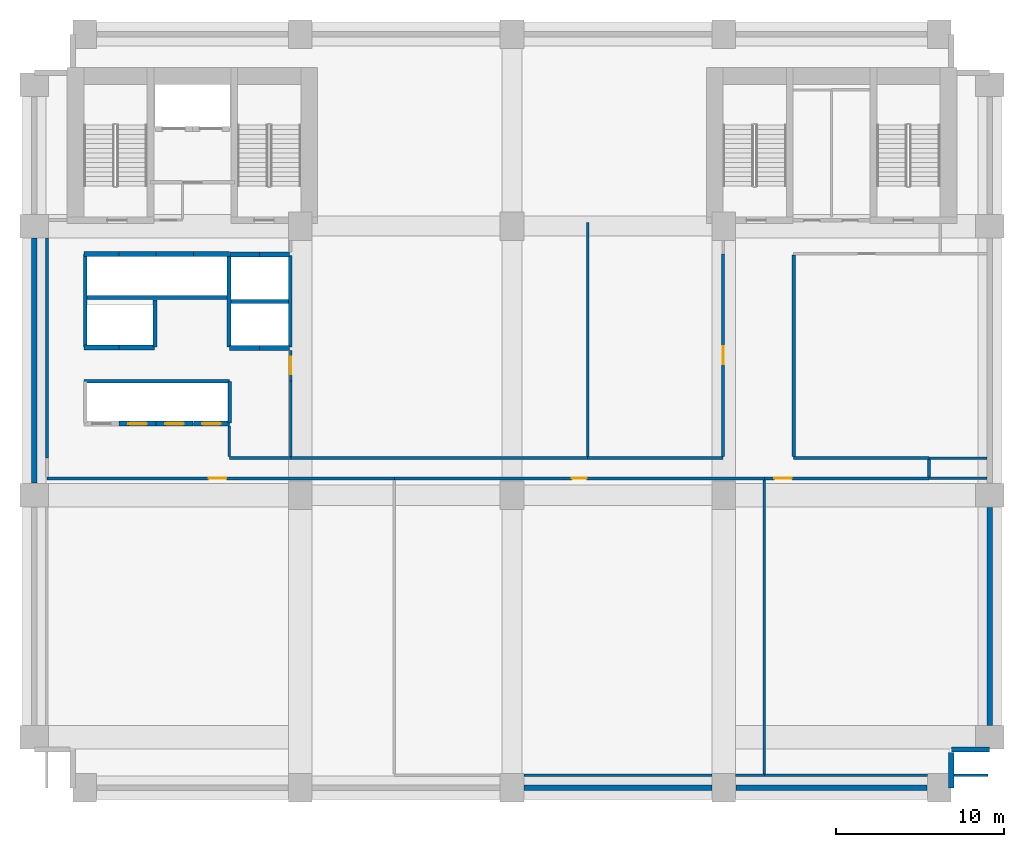
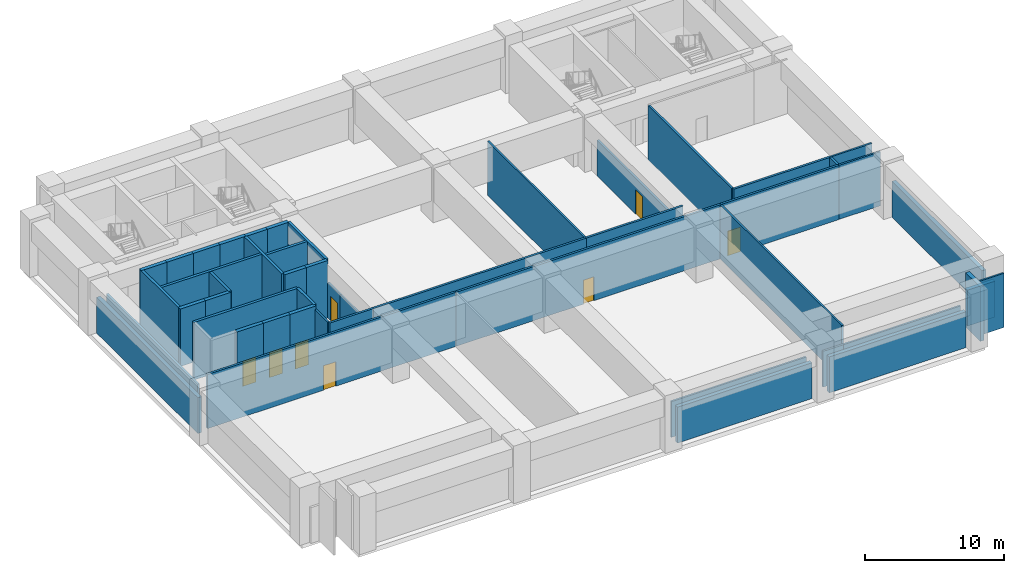
# One storey, part 2 of 6: 49 walls, 8 doors, 8 openings.
"""IFC4 building model written with IfcOpenShell, lengths in metres."""

from ifc_helpers import new_model, si_unit, direction, frame, frame_2d, origin, place, context, subcontext, project, spatial, rectangle, extrude, material, layer, layer_set, type_object, element, fill, save


model = new_model("IFC4")

# Units and contexts
model_context = context("Model", 3, precision=1e-05, world=origin(), true_north=direction((0.0, 1.0)))
body_context = subcontext(model_context, "Body", "Model", "MODEL_VIEW")
ifc_project = project(units=[si_unit("LENGTHUNIT", "METRE"), si_unit("AREAUNIT", "SQUARE_METRE"), si_unit("VOLUMEUNIT", "CUBIC_METRE"), si_unit("PLANEANGLEUNIT", "RADIAN"), si_unit("MASSUNIT", "GRAM", prefix="KILO")], contexts=[model_context])

# Site, building, storey
site_placement = place(None, origin())
site = spatial("IfcSite", under=ifc_project, at=site_placement, CompositionType="ELEMENT")
building_placement = place(site_placement, origin())
building = spatial("IfcBuilding", under=site, at=building_placement, Name="Sulina Concourse Tower", CompositionType="ELEMENT")
storey_placement = place(building_placement, frame((0.0, 0.0, 17.550048828125)))
storey = spatial("IfcBuildingStorey", under=building, at=storey_placement, Name="L04", CompositionType="ELEMENT", Elevation=17.550048828125)

# Walls
ifc_material_1 = material(Name="Concrete C50/60", Category="concrete")
ifc_layer_1 = layer(ifc_material_1, 0.219970703125)
ifc_layer_set_1 = layer_set([ifc_layer_1], Name="Concrete C50/60")
wall_type_1 = type_object("IfcWallType", Name="Core Lift Hoistway Divider Wall 220mm", PredefinedType="SOLIDWALL", material=ifc_layer_set_1)
wall_1_placement = place(storey_placement, frame((3.550048828125, 29.75, 0.0), z_axis=(0.0, 0.0, 1.0), x_axis=(1.0, 0.0, 0.0)))
element("IfcWall", 1, at=wall_1_placement, inside=storey, type_object=wall_type_1, Name="L04 shaft divider wall HW-LP3-S", PredefinedType="SOLIDWALL", context=body_context, shape_type="SweptSolid", body=[
    extrude(rectangle(XDim=8.64990234375, YDim=0.219970703125, at=frame_2d((4.324951171875, 0.0))), origin(), (0.0, 0.0, 1.0), 5.050048828125),
])
wall_2_placement = place(storey_placement, frame((3.6298828125, 26.800048828125, 0.0), z_axis=(0.0, 0.0, 1.0), x_axis=(0.0, 1.0, 0.0)))
element("IfcWall", 2, at=wall_2_placement, inside=storey, type_object=wall_type_1, Name="L04 shaft divider wall HW-LP3-W", PredefinedType="SOLIDWALL", context=body_context, shape_type="SweptSolid", body=[
    extrude(rectangle(XDim=5.550048828125, YDim=0.219970703125, at=frame_2d((2.77490234375, 0.0))), origin(), (0.0, 0.0, 1.0), 5.050048828125),
])
wall_3_placement = place(storey_placement, frame((7.780029296875, 26.800048828125, 0.0), z_axis=(0.0, 0.0, 1.0), x_axis=(0.0, 1.0, 0.0)))
element("IfcWall", 3, at=wall_3_placement, inside=storey, type_object=wall_type_1, Name="L04 shaft divider wall HW-EXP-E", PredefinedType="SOLIDWALL", context=body_context, shape_type="SweptSolid", body=[
    extrude(rectangle(XDim=2.800048828125, YDim=0.219970703125, at=frame_2d((1.39990234375, 0.0))), origin(), (0.0, 0.0, 1.0), 5.050048828125),
])
for number, where, z_axis, x_axis, name in (
    (4, (12.179931640625, 26.800048828125, 0.0), (0.0, 0.0, 1.0), (0.0, 1.0, 0.0), "L04 shaft divider wall HW-LP2-W"),
    (5, (15.820068359375, 26.800048828125, 0.0), (0.0, 0.0, 1.0), (0.0, 1.0, 0.0), "L04 shaft divider wall HW-LP2-E"),
):
    element("IfcWall", number, at=place(storey_placement, frame(where, z_axis=z_axis, x_axis=x_axis)), inside=storey, type_object=wall_type_1, Name=name, PredefinedType="SOLIDWALL", context=body_context, shape_type="SweptSolid", body=[
        extrude(rectangle(XDim=5.449951171875, YDim=0.219970703125, at=frame_2d((2.72509765625, 0.0))), origin(), (0.0, 0.0, 1.0), 5.050048828125),
    ])
wall_4_placement = place(storey_placement, frame((12.300048828125, 29.52001953125, 0.0), z_axis=(0.0, 0.0, 1.0), x_axis=(1.0, 0.0, 0.0)))
element("IfcWall", 6, at=wall_4_placement, inside=storey, type_object=wall_type_1, Name="L04 shaft divider wall HW-LP2-M", PredefinedType="SOLIDWALL", context=body_context, shape_type="SweptSolid", body=[
    extrude(rectangle(XDim=3.39990234375, YDim=0.219970703125, at=frame_2d((1.699951171875, 0.0))), origin(), (0.0, 0.0, 1.0), 5.050048828125),
])
wall_5_placement = place(storey_placement, frame((3.550048828125, 24.780029296875, 0.0), z_axis=(0.0, 0.0, 1.0), x_axis=(1.0, 0.0, 0.0)))
element("IfcWall", 7, at=wall_5_placement, inside=storey, type_object=wall_type_1, Name="L04 shaft divider wall HW-LP1-N", PredefinedType="SOLIDWALL", context=body_context, shape_type="SweptSolid", body=[
    extrude(rectangle(XDim=8.64990234375, YDim=0.219970703125, at=frame_2d((4.324951171875, 0.0))), origin(), (0.0, 0.0, 1.0), 5.050048828125),
])
wall_6_placement = place(storey_placement, frame((12.219970703125, 22.300048828125, 0.0), z_axis=(0.0, 0.0, 1.0), x_axis=(0.0, 1.0, 0.0)))
element("IfcWall", 8, at=wall_6_placement, inside=storey, type_object=wall_type_1, Name="L04 shaft divider wall HW-LP1-E", PredefinedType="SOLIDWALL", context=body_context, shape_type="SweptSolid", body=[
    extrude(rectangle(XDim=2.449951171875, YDim=0.219970703125, at=frame_2d((1.22509765625, 0.0))), origin(), (0.0, 0.0, 1.0), 5.050048828125),
])

# Wall, opening, door
ifc_material_2 = material(Name="Concrete C50/60", Category="concrete")
ifc_layer_2 = layer(ifc_material_2, 0.300048828125)
ifc_layer_set_2 = layer_set([ifc_layer_2], Name="Concrete C50/60")
wall_type_2 = type_object("IfcWallType", Name="Core Lift Hoistway Wall 300mm", PredefinedType="SOLIDWALL", material=ifc_layer_set_2)
wall_7_placement = place(storey_placement, frame((7.85009765625, 22.25, 0.0), z_axis=(0.0, 0.0, 1.0), x_axis=(-1.0, 0.0, 0.0)))
wall_7 = element("IfcWall", 9, at=wall_7_placement, inside=storey, type_object=wall_type_2, Name="L04 hoistway enclosure wall LP-02", PredefinedType="SOLIDWALL", context=body_context, shape_type="SweptSolid", body=[
    extrude(rectangle(XDim=2.2001953125, YDim=0.300048828125, at=frame_2d((1.10009765625, 0.0))), origin(), (0.0, 0.0, 1.0), 5.050048828125),
])
opening_1_placement = place(wall_7_placement, frame((0.550048828125, 0.0, 0.0)))
opening_1 = element("IfcOpeningElement", 10, at=opening_1_placement, cuts=wall_7, Name="Opening LD-01", PredefinedType="OPENING", context=body_context, shape_type="SweptSolid", body=[
    extrude(rectangle(XDim=1.10009765625, YDim=2.199951171875, at=frame_2d((0.550048828125, 1.10009765625))), frame((0.0, 0.159912109375, 0.0), z_axis=(0.0, -1.0, 0.0), x_axis=(1.0, 0.0, 0.0)), (0.0, 0.0, 1.0), 0.320068359375),
])
ifc_material_3 = material(Name="Stainless steel lift landing door", Category="steel")
ifc_layer_3 = layer(ifc_material_3, 0.050048828125)
ifc_layer_set_3 = layer_set([ifc_layer_3], Name="Stainless steel lift landing door")
door_type_1 = type_object("IfcDoorType", Name="Passenger Lift Sliding Landing Door 1100x2200", OperationType="SLIDING_TO_LEFT", PredefinedType="DOOR", material=ifc_layer_set_3)
door_1_placement = place(opening_1_placement, origin())
door_1 = element("IfcDoor", 11, at=door_1_placement, inside=storey, type_object=door_type_1, Name="L04 lift landing sliding door LP-02", OperationType="SLIDING_TO_RIGHT", OverallHeight=2.199951171875, OverallWidth=1.10009765625, PredefinedType="DOOR", context=body_context, shape_type="SweptSolid", body=[
    extrude(rectangle(XDim=1.10009765625, YDim=2.199951171875, at=frame_2d((0.550048828125, 1.10009765625))), frame((0.0, 0.02490234375, 0.0), z_axis=(0.0, -1.0, 0.0), x_axis=(1.0, 0.0, 0.0)), (0.0, 0.0, 1.0), 0.050048828125),
])
fill(opening_1, door_1)

wall_8_placement = place(storey_placement, frame((10.050048828125, 22.25, 0.0), z_axis=(0.0, 0.0, 1.0), x_axis=(-1.0, 0.0, 0.0)))
wall_8 = element("IfcWall", 12, at=wall_8_placement, inside=storey, type_object=wall_type_2, Name="L04 hoistway enclosure wall LP-03", PredefinedType="SOLIDWALL", context=body_context, shape_type="SweptSolid", body=[
    extrude(rectangle(XDim=2.199951171875, YDim=0.300048828125, at=frame_2d((1.10009765625, 0.0))), origin(), (0.0, 0.0, 1.0), 5.050048828125),
])
opening_2_placement = place(wall_8_placement, frame((0.550048828125, 0.0, 0.0)))
opening_2 = element("IfcOpeningElement", 13, at=opening_2_placement, cuts=wall_8, Name="Opening LD-01", PredefinedType="OPENING", context=body_context, shape_type="SweptSolid", body=[
    extrude(rectangle(XDim=1.10009765625, YDim=2.199951171875, at=frame_2d((0.550048828125, 1.10009765625))), frame((0.0, 0.159912109375, 0.0), z_axis=(0.0, -1.0, 0.0), x_axis=(1.0, 0.0, 0.0)), (0.0, 0.0, 1.0), 0.320068359375),
])
door_2_placement = place(opening_2_placement, origin())
door_2 = element("IfcDoor", 14, at=door_2_placement, inside=storey, type_object=door_type_1, Name="L04 lift landing sliding door LP-03", OperationType="SLIDING_TO_LEFT", OverallHeight=2.199951171875, OverallWidth=1.10009765625, PredefinedType="DOOR", context=body_context, shape_type="SweptSolid", body=[
    extrude(rectangle(XDim=1.10009765625, YDim=2.199951171875, at=frame_2d((0.550048828125, 1.10009765625))), frame((0.0, 0.02490234375, 0.0), z_axis=(0.0, -1.0, 0.0), x_axis=(1.0, 0.0, 0.0)), (0.0, 0.0, 1.0), 0.050048828125),
])
fill(opening_2, door_2)

wall_9_placement = place(storey_placement, frame((12.199951171875, 22.25, 0.0), z_axis=(0.0, 0.0, 1.0), x_axis=(-1.0, 0.0, 0.0)))
wall_9 = element("IfcWall", 15, at=wall_9_placement, inside=storey, type_object=wall_type_2, Name="L04 hoistway enclosure wall LP-04", PredefinedType="SOLIDWALL", context=body_context, shape_type="SweptSolid", body=[
    extrude(rectangle(XDim=2.14990234375, YDim=0.300048828125, at=frame_2d((1.074951171875, 0.0))), origin(), (0.0, 0.0, 1.0), 5.050048828125),
])
opening_3_placement = place(wall_9_placement, frame((0.52490234375, 0.0, 0.0)))
opening_3 = element("IfcOpeningElement", 16, at=opening_3_placement, cuts=wall_9, Name="Opening LD-01", PredefinedType="OPENING", context=body_context, shape_type="SweptSolid", body=[
    extrude(rectangle(XDim=1.10009765625, YDim=2.199951171875, at=frame_2d((0.550048828125, 1.10009765625))), frame((0.0, 0.159912109375, 0.0), z_axis=(0.0, -1.0, 0.0), x_axis=(1.0, 0.0, 0.0)), (0.0, 0.0, 1.0), 0.320068359375),
])
door_3_placement = place(opening_3_placement, origin())
door_3 = element("IfcDoor", 17, at=door_3_placement, inside=storey, type_object=door_type_1, Name="L04 lift landing sliding door LP-04", OperationType="SLIDING_TO_RIGHT", OverallHeight=2.199951171875, OverallWidth=1.10009765625, PredefinedType="DOOR", context=body_context, shape_type="SweptSolid", body=[
    extrude(rectangle(XDim=1.10009765625, YDim=2.199951171875, at=frame_2d((0.550048828125, 1.10009765625))), frame((0.0, 0.02490234375, 0.0), z_axis=(0.0, -1.0, 0.0), x_axis=(1.0, 0.0, 0.0)), (0.0, 0.0, 1.0), 0.050048828125),
])
fill(opening_3, door_3)

# Walls
for number, where, z_axis, x_axis, name in (
    (18, (14.0, 26.75, 0.0), (0.0, 0.0, 1.0), (-1.0, 0.0, 0.0), "L04 hoistway enclosure wall LP-05"),
    (19, (15.780029296875, 26.75, 0.0), (0.0, 0.0, 1.0), (-1.0, 0.0, 0.0), "L04 hoistway enclosure wall LP-06"),
    (20, (12.219970703125, 32.320068359375, 0.0), (0.0, 0.0, 1.0), (1.0, 0.0, 0.0), "L04 hoistway enclosure wall LP-07"),
    (21, (14.0, 32.320068359375, 0.0), (0.0, 0.0, 1.0), (1.0, 0.0, 0.0), "L04 hoistway enclosure wall LP-08"),
):
    element("IfcWall", number, at=place(storey_placement, frame(where, z_axis=z_axis, x_axis=x_axis)), inside=storey, type_object=wall_type_2, Name=name, PredefinedType="SOLIDWALL", context=body_context, shape_type="SweptSolid", body=[
        extrude(rectangle(XDim=1.780029296875, YDim=0.300048828125, at=frame_2d((0.89013671875, 0.0))), origin(), (0.0, 0.0, 1.0), 5.050048828125),
    ])
wall_10_placement = place(storey_placement, frame((3.550048828125, 32.35009765625, 0.0), z_axis=(0.0, 0.0, 1.0), x_axis=(1.0, 0.0, 0.0)))
element("IfcWall", 22, at=wall_10_placement, inside=storey, type_object=wall_type_2, Name="L04 hoistway enclosure wall LP-09", PredefinedType="SOLIDWALL", context=body_context, shape_type="SweptSolid", body=[
    extrude(rectangle(XDim=2.099853515625, YDim=0.300048828125, at=frame_2d((1.0498046875, 0.0))), origin(), (0.0, 0.0, 1.0), 5.050048828125),
])
wall_11_placement = place(storey_placement, frame((5.64990234375, 32.35009765625, 0.0), z_axis=(0.0, 0.0, 1.0), x_axis=(1.0, 0.0, 0.0)))
element("IfcWall", 23, at=wall_11_placement, inside=storey, type_object=wall_type_2, Name="L04 hoistway enclosure wall LP-10", PredefinedType="SOLIDWALL", context=body_context, shape_type="SweptSolid", body=[
    extrude(rectangle(XDim=2.2001953125, YDim=0.300048828125, at=frame_2d((1.10009765625, 0.0))), origin(), (0.0, 0.0, 1.0), 5.050048828125),
])
wall_12_placement = place(storey_placement, frame((7.85009765625, 32.35009765625, 0.0), z_axis=(0.0, 0.0, 1.0), x_axis=(1.0, 0.0, 0.0)))
element("IfcWall", 24, at=wall_12_placement, inside=storey, type_object=wall_type_2, Name="L04 hoistway enclosure wall LP-11", PredefinedType="SOLIDWALL", context=body_context, shape_type="SweptSolid", body=[
    extrude(rectangle(XDim=2.199951171875, YDim=0.300048828125, at=frame_2d((1.10009765625, 0.0))), origin(), (0.0, 0.0, 1.0), 5.050048828125),
])
wall_13_placement = place(storey_placement, frame((10.050048828125, 32.35009765625, 0.0), z_axis=(0.0, 0.0, 1.0), x_axis=(1.0, 0.0, 0.0)))
element("IfcWall", 25, at=wall_13_placement, inside=storey, type_object=wall_type_2, Name="L04 hoistway enclosure wall LP-12", PredefinedType="SOLIDWALL", context=body_context, shape_type="SweptSolid", body=[
    extrude(rectangle(XDim=2.14990234375, YDim=0.300048828125, at=frame_2d((1.074951171875, 0.0))), origin(), (0.0, 0.0, 1.0), 5.050048828125),
])
wall_14_placement = place(storey_placement, frame((5.64990234375, 26.780029296875, 0.0), z_axis=(0.0, 0.0, 1.0), x_axis=(-1.0, 0.0, 0.0)))
element("IfcWall", 26, at=wall_14_placement, inside=storey, type_object=wall_type_2, Name="L04 hoistway enclosure wall EXP-1", PredefinedType="SOLIDWALL", context=body_context, shape_type="SweptSolid", body=[
    extrude(rectangle(XDim=2.099853515625, YDim=0.300048828125, at=frame_2d((1.0498046875, 0.0))), origin(), (0.0, 0.0, 1.0), 5.050048828125),
])
wall_15_placement = place(storey_placement, frame((7.75, 26.780029296875, 0.0), z_axis=(0.0, 0.0, 1.0), x_axis=(-1.0, 0.0, 0.0)))
element("IfcWall", 27, at=wall_15_placement, inside=storey, type_object=wall_type_2, Name="L04 hoistway enclosure wall EXP-2", PredefinedType="SOLIDWALL", context=body_context, shape_type="SweptSolid", body=[
    extrude(rectangle(XDim=2.10009765625, YDim=0.300048828125, at=frame_2d((1.050048828125, 0.0))), origin(), (0.0, 0.0, 1.0), 5.050048828125),
])
ifc_material_4 = material(Name="Gypsum board on steel stud", Category="steel")
ifc_layer_4 = layer(ifc_material_4, 0.14990234375)
ifc_layer_set_4 = layer_set([ifc_layer_4], Name="Gypsum board on steel stud")
wall_type_3 = type_object("IfcWallType", Name="Inter-Tenancy Acoustic Partition 150mm", PredefinedType="PARTITIONING", material=ifc_layer_set_4)
wall_16_placement = place(storey_placement, frame((29.699951171875, 1.35009765625, 0.0), z_axis=(0.0, 0.0, 1.0), x_axis=(1.0, 0.0, 0.0)))
element("IfcWall", 28, at=wall_16_placement, inside=storey, type_object=wall_type_3, Name="L04 interior partition 002", PredefinedType="PARTITIONING", context=body_context, shape_type="SweptSolid", body=[
    extrude(rectangle(XDim=11.199951171875, YDim=0.14990234375, at=frame_2d((5.60009765625, 0.0))), origin(), (0.0, 0.0, 1.0), 3.14501953125),
])
wall_17_placement = place(storey_placement, frame((42.300048828125, 1.35009765625, 0.0), z_axis=(0.0, 0.0, 1.0), x_axis=(1.0, 0.0, 0.0)))
element("IfcWall", 29, at=wall_17_placement, inside=storey, type_object=wall_type_3, Name="L04 interior partition 003", PredefinedType="PARTITIONING", context=body_context, shape_type="SweptSolid", body=[
    extrude(rectangle(XDim=1.699951171875, YDim=0.14990234375, at=frame_2d((0.85009765625, 0.0))), origin(), (0.0, 0.0, 1.0), 3.14501953125),
])
wall_18_placement = place(storey_placement, frame((44.0, 1.35009765625, 0.0), z_axis=(0.0, 0.0, 1.0), x_axis=(1.0, 0.0, 0.0)))
element("IfcWall", 30, at=wall_18_placement, inside=storey, type_object=wall_type_3, Name="L04 interior partition 004", PredefinedType="PARTITIONING", context=body_context, shape_type="SweptSolid", body=[
    extrude(rectangle(XDim=9.699951171875, YDim=0.14990234375, at=frame_2d((4.85009765625, 0.0))), origin(), (0.0, 0.0, 1.0), 3.14501953125),
])
wall_19_placement = place(storey_placement, frame((55.280029296875, 1.35009765625, 0.0), z_axis=(0.0, 0.0, 1.0), x_axis=(1.0, 0.0, 0.0)))
element("IfcWall", 31, at=wall_19_placement, inside=storey, type_object=wall_type_3, Name="L04 interior partition 005", PredefinedType="PARTITIONING", context=body_context, shape_type="SweptSolid", body=[
    extrude(rectangle(XDim=2.02001953125, YDim=0.14990234375, at=frame_2d((1.010009765625, 0.0))), origin(), (0.0, 0.0, 1.0), 4.75),
])
for number, where, z_axis, x_axis, name in (
    (32, (53.800048828125, 19.0, 0.0), (0.0, 0.0, 1.0), (1.0, 0.0, 0.0), "L04 interior partition 009"),
    (33, (53.800048828125, 20.199951171875, 0.0), (0.0, 0.0, 1.0), (1.0, 0.0, 0.0), "L04 interior partition 014"),
):
    element("IfcWall", number, at=place(storey_placement, frame(where, z_axis=z_axis, x_axis=x_axis)), inside=storey, type_object=wall_type_3, Name=name, PredefinedType="PARTITIONING", context=body_context, shape_type="SweptSolid", body=[
        extrude(rectangle(XDim=3.43994140625, YDim=0.14990234375, at=frame_2d((1.719970703125, 0.0))), origin(), (0.0, 0.0, 1.0), 4.75),
    ])
wall_20_placement = place(storey_placement, frame((12.199951171875, 20.2900390625, 0.0), z_axis=(0.0, 0.0, 1.0), x_axis=(0.0, 1.0, 0.0)))
element("IfcWall", 34, at=wall_20_placement, inside=storey, type_object=wall_type_3, Name="L04 interior partition 026", PredefinedType="PARTITIONING", context=body_context, shape_type="SweptSolid", body=[
    extrude(rectangle(XDim=1.81005859375, YDim=0.14990234375, at=frame_2d((0.905029296875, 0.0))), origin(), (0.0, 0.0, 1.0), 4.75),
])
wall_21_placement = place(storey_placement, frame((15.85009765625, 20.2900390625, 0.0), z_axis=(0.0, 0.0, 1.0), x_axis=(0.0, 1.0, 0.0)))
element("IfcWall", 35, at=wall_21_placement, inside=storey, type_object=wall_type_3, Name="L04 interior partition 027", PredefinedType="PARTITIONING", context=body_context, shape_type="SweptSolid", body=[
    extrude(rectangle(XDim=4.510009765625, YDim=0.14990234375, at=frame_2d((2.2548828125, 0.0))), origin(), (0.0, 0.0, 1.0), 3.14501953125),
])

# Wall, opening, door
wall_22_placement = place(storey_placement, frame((15.85009765625, 24.800048828125, 0.0), z_axis=(0.0, 0.0, 1.0), x_axis=(0.0, 1.0, 0.0)))
wall_22 = element("IfcWall", 36, at=wall_22_placement, inside=storey, type_object=wall_type_3, Name="L04 interior partition 028", PredefinedType="PARTITIONING", context=body_context, shape_type="SweptSolid", body=[
    extrude(rectangle(XDim=1.800048828125, YDim=0.14990234375, at=frame_2d((0.89990234375, 0.0))), origin(), (0.0, 0.0, 1.0), 3.14501953125),
])
opening_4_placement = place(wall_22_placement, frame((0.375, 0.0, 0.0)))
opening_4 = element("IfcOpeningElement", 37, at=opening_4_placement, cuts=wall_22, Name="Opening DR-37", PredefinedType="OPENING", context=body_context, shape_type="SweptSolid", body=[
    extrude(rectangle(XDim=1.050048828125, YDim=2.14990234375, at=frame_2d((0.52490234375, 1.074951171875))), frame((0.0, 0.0849609375, 0.0), z_axis=(0.0, -1.0, 0.0), x_axis=(1.0, 0.0, 0.0)), (0.0, 0.0, 1.0), 0.169921875),
])
ifc_material_5 = material(Name="Oak-veneered fire door leaf")
ifc_layer_5 = layer(ifc_material_5, 0.050048828125)
ifc_layer_set_5 = layer_set([ifc_layer_5], Name="Oak-veneered fire door leaf")
door_type_2 = type_object("IfcDoorType", Name="Tenant Suite Entrance Fire Door 1050x2150", OperationType="NOTDEFINED", PredefinedType="DOOR", material=ifc_layer_set_5)
door_4_placement = place(opening_4_placement, origin())
door_4 = element("IfcDoor", 38, at=door_4_placement, inside=storey, type_object=door_type_2, Name="L04 interior door L04-STD-TR", OperationType="SINGLE_SWING_LEFT", OverallHeight=2.14990234375, OverallWidth=1.050048828125, PredefinedType="DOOR", context=body_context, shape_type="SweptSolid", body=[
    extrude(rectangle(XDim=1.050048828125, YDim=2.14990234375, at=frame_2d((0.52490234375, 1.074951171875))), frame((0.0, 0.02490234375, 0.0), z_axis=(0.0, -1.0, 0.0), x_axis=(1.0, 0.0, 0.0)), (0.0, 0.0, 1.0), 0.050048828125),
])
fill(opening_4, door_4)

# Walls
wall_23_placement = place(storey_placement, frame((33.5, 20.2900390625, 0.0), z_axis=(0.0, 0.0, 1.0), x_axis=(0.0, 1.0, 0.0)))
element("IfcWall", 39, at=wall_23_placement, inside=storey, type_object=wall_type_3, Name="L04 interior partition 031", PredefinedType="PARTITIONING", context=body_context, shape_type="SweptSolid", body=[
    extrude(rectangle(XDim=13.909912109375, YDim=0.14990234375, at=frame_2d((6.955078125, 0.0))), origin(), (0.0, 0.0, 1.0), 4.75),
])
wall_24_placement = place(storey_placement, frame((44.0, 1.425048828125, 0.0), z_axis=(0.0, 0.0, 1.0), x_axis=(0.0, 1.0, 0.0)))
element("IfcWall", 40, at=wall_24_placement, inside=storey, type_object=wall_type_3, Name="L04 interior partition 034", PredefinedType="PARTITIONING", context=body_context, shape_type="SweptSolid", body=[
    extrude(rectangle(XDim=17.48486328125, YDim=0.14990234375, at=frame_2d((8.742431640625, 0.0))), origin(), (0.0, 0.0, 1.0), 4.75),
])
ifc_material_6 = material(Name="Precast concrete C50/60", Category="concrete")
ifc_layer_6 = layer(ifc_material_6, 0.320068359375)
ifc_layer_set_6 = layer_set([ifc_layer_6], Name="Precast concrete C50/60")
wall_type_4 = type_object("IfcWallType", Name="Lower Precast Masonry-Frame Facade Wall 320mm", PredefinedType="SOLIDWALL", material=ifc_layer_set_6)
wall_25_placement = place(storey_placement, frame((40.8798828125, 0.60009765625, 0.0), z_axis=(0.0, 0.0, 1.0), x_axis=(-1.0, 0.0, 0.0)))
element("IfcWall", 41, at=wall_25_placement, inside=storey, type_object=wall_type_4, Name="L04 exterior precast wall S3", PredefinedType="SOLIDWALL", context=body_context, shape_type="SweptSolid", body=[
    extrude(rectangle(XDim=11.159912109375, YDim=0.320068359375, at=frame_2d((5.580078125, 0.0))), origin(), (0.0, 0.0, 1.0), 3.14990234375),
])
wall_26_placement = place(storey_placement, frame((53.679931640625, 0.60009765625, 0.0), z_axis=(0.0, 0.0, 1.0), x_axis=(-1.0, 0.0, 0.0)))
element("IfcWall", 42, at=wall_26_placement, inside=storey, type_object=wall_type_4, Name="L04 exterior precast wall S4", PredefinedType="SOLIDWALL", context=body_context, shape_type="SweptSolid", body=[
    extrude(rectangle(XDim=11.35986328125, YDim=0.320068359375, at=frame_2d((5.679931640625, 0.0))), origin(), (0.0, 0.0, 1.0), 3.14990234375),
])
wall_27_placement = place(storey_placement, frame((0.60009765625, 18.719970703125, 0.0), z_axis=(0.0, 0.0, 1.0), x_axis=(0.0, 1.0, 0.0)))
element("IfcWall", 43, at=wall_27_placement, inside=storey, type_object=wall_type_4, Name="L04 exterior precast wall W2", PredefinedType="SOLIDWALL", context=body_context, shape_type="SweptSolid", body=[
    extrude(rectangle(XDim=14.56005859375, YDim=0.320068359375, at=frame_2d((7.280029296875, 0.0))), origin(), (0.0, 0.0, 1.0), 3.14990234375),
])
wall_28_placement = place(storey_placement, frame((57.39990234375, 17.280029296875, 0.0), z_axis=(0.0, 0.0, 1.0), x_axis=(0.0, -1.0, 0.0)))
element("IfcWall", 44, at=wall_28_placement, inside=storey, type_object=wall_type_4, Name="L04 exterior precast wall E1", PredefinedType="SOLIDWALL", context=body_context, shape_type="SweptSolid", body=[
    extrude(rectangle(XDim=12.9599609375, YDim=0.320068359375, at=frame_2d((6.47998046875, 0.0))), origin(), (0.0, 0.0, 1.0), 3.14990234375),
])
wall_29_placement = place(storey_placement, frame((57.39990234375, 2.8798828125, 0.0), z_axis=(0.0, 0.0, 1.0), x_axis=(-1.0, 0.0, 0.0)))
element("IfcWall", 45, at=wall_29_placement, inside=storey, type_object=wall_type_4, Name="L04 exterior precast wall CSE1", PredefinedType="SOLIDWALL", context=body_context, shape_type="SweptSolid", body=[
    extrude(rectangle(XDim=2.27978515625, YDim=0.320068359375, at=frame_2d((1.139892578125, 0.0))), origin(), (0.0, 0.0, 1.0), 3.14990234375),
])
wall_30_placement = place(storey_placement, frame((55.1201171875, 2.715087890625, 0.0), z_axis=(0.0, 0.0, 1.0), x_axis=(0.0, -1.0, 0.0)))
element("IfcWall", 46, at=wall_30_placement, inside=storey, type_object=wall_type_4, Name="L04 exterior precast wall CSE2", PredefinedType="SOLIDWALL", context=body_context, shape_type="SweptSolid", body=[
    extrude(rectangle(XDim=2.114990234375, YDim=0.320068359375, at=frame_2d((1.0576171875, 0.0))), origin(), (0.0, 0.0, 1.0), 4.75),
])

# Wall, opening, door
ifc_material_7 = material(Name="Gypsum board on steel stud", Category="steel")
ifc_layer_7 = layer(ifc_material_7, 0.179931640625)
ifc_layer_set_7 = layer_set([ifc_layer_7], Name="Gypsum board on steel stud")
wall_type_5 = type_object("IfcWallType", Name="Protected Corridor & Riser Partition 180mm", PredefinedType="PARTITIONING", material=ifc_layer_set_7)
wall_31_placement = place(storey_placement, frame((1.35009765625, 19.0, 0.0), z_axis=(0.0, 0.0, 1.0), x_axis=(1.0, 0.0, 0.0)))
wall_31 = element("IfcWall", 47, at=wall_31_placement, inside=storey, type_object=wall_type_5, Name="L04 interior partition 006", PredefinedType="PARTITIONING", context=body_context, shape_type="SweptSolid", body=[
    extrude(rectangle(XDim=20.64990234375, YDim=0.179931640625, at=frame_2d((10.324951171875, 0.0))), origin(), (0.0, 0.0, 1.0), 4.75),
])
opening_5_placement = place(wall_31_placement, frame((9.6201171875, 0.0, 0.0)))
opening_5 = element("IfcOpeningElement", 48, at=opening_5_placement, cuts=wall_31, Name="Opening DR-37", PredefinedType="OPENING", context=body_context, shape_type="SweptSolid", body=[
    extrude(rectangle(XDim=1.050048828125, YDim=2.14990234375, at=frame_2d((0.52490234375, 1.074951171875))), frame((0.0, 0.099853515625, 0.0), z_axis=(0.0, -1.0, 0.0), x_axis=(1.0, 0.0, 0.0)), (0.0, 0.0, 1.0), 0.199951171875),
])
door_5_placement = place(opening_5_placement, origin())
door_5 = element("IfcDoor", 49, at=door_5_placement, inside=storey, type_object=door_type_2, Name="L04 interior door L04-OFF-TR1", OperationType="SINGLE_SWING_RIGHT", OverallHeight=2.14990234375, OverallWidth=1.050048828125, PredefinedType="DOOR", context=body_context, shape_type="SweptSolid", body=[
    extrude(rectangle(XDim=1.050048828125, YDim=2.14990234375, at=frame_2d((0.52490234375, 1.074951171875))), frame((0.0, 0.02490234375, 0.0), z_axis=(0.0, -1.0, 0.0), x_axis=(1.0, 0.0, 0.0)), (0.0, 0.0, 1.0), 0.050048828125),
])
fill(opening_5, door_5)

wall_32_placement = place(storey_placement, frame((22.0, 19.0, 0.0), z_axis=(0.0, 0.0, 1.0), x_axis=(1.0, 0.0, 0.0)))
wall_32 = element("IfcWall", 50, at=wall_32_placement, inside=storey, type_object=wall_type_5, Name="L04 interior partition 007", PredefinedType="PARTITIONING", context=body_context, shape_type="SweptSolid", body=[
    extrude(rectangle(XDim=22.0, YDim=0.179931640625, at=frame_2d((11.0, 0.0))), origin(), (0.0, 0.0, 1.0), 4.75),
])
opening_6_placement = place(wall_32_placement, frame((10.56005859375, 0.0, 0.0)))
opening_6 = element("IfcOpeningElement", 51, at=opening_6_placement, cuts=wall_32, Name="Opening DR-38", PredefinedType="OPENING", context=body_context, shape_type="SweptSolid", body=[
    extrude(rectangle(XDim=0.8798828125, YDim=2.10009765625, at=frame_2d((0.43994140625, 1.050048828125))), frame((0.0, 0.099853515625, 0.0), z_axis=(0.0, -1.0, 0.0), x_axis=(1.0, 0.0, 0.0)), (0.0, 0.0, 1.0), 0.199951171875),
])
ifc_material_8 = material(Name="Galvanised steel acoustic fire leaf", Category="steel")
ifc_layer_8 = layer(ifc_material_8, 0.050048828125)
ifc_layer_set_8 = layer_set([ifc_layer_8], Name="Galvanised steel acoustic fire leaf")
door_type_3 = type_object("IfcDoorType", Name="Service Riser Fire Door 880x2100", OperationType="NOTDEFINED", PredefinedType="DOOR", material=ifc_layer_set_8)
door_6_placement = place(opening_6_placement, origin())
door_6 = element("IfcDoor", 52, at=door_6_placement, inside=storey, type_object=door_type_3, Name="L04 room door L04-CONF-TR", OperationType="SINGLE_SWING_LEFT", OverallHeight=2.10009765625, OverallWidth=0.8798828125, PredefinedType="DOOR", context=body_context, shape_type="SweptSolid", body=[
    extrude(rectangle(XDim=0.8798828125, YDim=2.10009765625, at=frame_2d((0.43994140625, 1.050048828125))), frame((0.0, 0.02490234375, 0.0), z_axis=(0.0, -1.0, 0.0), x_axis=(1.0, 0.0, 0.0)), (0.0, 0.0, 1.0), 0.050048828125),
])
fill(opening_6, door_6)

wall_33_placement = place(storey_placement, frame((44.0, 19.0, 0.0), z_axis=(0.0, 0.0, 1.0), x_axis=(1.0, 0.0, 0.0)))
wall_33 = element("IfcWall", 53, at=wall_33_placement, inside=storey, type_object=wall_type_5, Name="L04 interior partition 008", PredefinedType="PARTITIONING", context=body_context, shape_type="SweptSolid", body=[
    extrude(rectangle(XDim=9.800048828125, YDim=0.179931640625, at=frame_2d((4.89990234375, 0.0))), origin(), (0.0, 0.0, 1.0), 4.75),
])
opening_7_placement = place(wall_33_placement, frame((0.594970703125, 0.0, 0.0)))
opening_7 = element("IfcOpeningElement", 54, at=opening_7_placement, cuts=wall_33, Name="Opening DR-37", PredefinedType="OPENING", context=body_context, shape_type="SweptSolid", body=[
    extrude(rectangle(XDim=1.050048828125, YDim=2.14990234375, at=frame_2d((0.52490234375, 1.074951171875))), frame((0.0, 0.099853515625, 0.0), z_axis=(0.0, -1.0, 0.0), x_axis=(1.0, 0.0, 0.0)), (0.0, 0.0, 1.0), 0.199951171875),
])
door_7_placement = place(opening_7_placement, origin())
door_7 = element("IfcDoor", 55, at=door_7_placement, inside=storey, type_object=door_type_2, Name="L04 interior door L04-OFF-TR2", OperationType="SINGLE_SWING_RIGHT", OverallHeight=2.14990234375, OverallWidth=1.050048828125, PredefinedType="DOOR", context=body_context, shape_type="SweptSolid", body=[
    extrude(rectangle(XDim=1.050048828125, YDim=2.14990234375, at=frame_2d((0.52490234375, 1.074951171875))), frame((0.0, 0.02490234375, 0.0), z_axis=(0.0, -1.0, 0.0), x_axis=(1.0, 0.0, 0.0)), (0.0, 0.0, 1.0), 0.050048828125),
])
fill(opening_7, door_7)

# Walls
wall_34_placement = place(storey_placement, frame((12.199951171875, 20.199951171875, 0.0), z_axis=(0.0, 0.0, 1.0), x_axis=(1.0, 0.0, 0.0)))
element("IfcWall", 56, at=wall_34_placement, inside=storey, type_object=wall_type_5, Name="L04 interior partition 010", PredefinedType="PARTITIONING", context=body_context, shape_type="SweptSolid", body=[
    extrude(rectangle(XDim=3.650146484375, YDim=0.179931640625, at=frame_2d((1.8251953125, 0.0))), origin(), (0.0, 0.0, 1.0), 4.75),
])
wall_35_placement = place(storey_placement, frame((15.85009765625, 20.199951171875, 0.0), z_axis=(0.0, 0.0, 1.0), x_axis=(1.0, 0.0, 0.0)))
element("IfcWall", 57, at=wall_35_placement, inside=storey, type_object=wall_type_5, Name="L04 interior partition 011", PredefinedType="PARTITIONING", context=body_context, shape_type="SweptSolid", body=[
    extrude(rectangle(XDim=17.64990234375, YDim=0.179931640625, at=frame_2d((8.824951171875, 0.0))), origin(), (0.0, 0.0, 1.0), 4.75),
])
for number, where, z_axis, x_axis, name in (
    (58, (33.5, 20.199951171875, 0.0), (0.0, 0.0, 1.0), (1.0, 0.0, 0.0), "L04 interior partition 012"),
    (59, (45.75, 20.199951171875, 0.0), (0.0, 0.0, 1.0), (1.0, 0.0, 0.0), "L04 interior partition 013"),
):
    element("IfcWall", number, at=place(storey_placement, frame(where, z_axis=z_axis, x_axis=x_axis)), inside=storey, type_object=wall_type_5, Name=name, PredefinedType="PARTITIONING", context=body_context, shape_type="SweptSolid", body=[
        extrude(rectangle(XDim=8.050048828125, YDim=0.179931640625, at=frame_2d((4.02490234375, 0.0))), origin(), (0.0, 0.0, 1.0), 4.75),
    ])
wall_36_placement = place(storey_placement, frame((1.35009765625, 20.199951171875, 0.0), z_axis=(0.0, 0.0, 1.0), x_axis=(0.0, 1.0, 0.0)))
element("IfcWall", 60, at=wall_36_placement, inside=storey, type_object=wall_type_5, Name="L04 interior partition 024", PredefinedType="PARTITIONING", context=body_context, shape_type="SweptSolid", body=[
    extrude(rectangle(XDim=13.10009765625, YDim=0.179931640625, at=frame_2d((6.550048828125, 0.0))), origin(), (0.0, 0.0, 1.0), 3.14501953125),
])

# Wall, opening, door
wall_37_placement = place(storey_placement, frame((41.550048828125, 20.2900390625, 0.0), z_axis=(0.0, 0.0, 1.0), x_axis=(0.0, 1.0, 0.0)))
wall_37 = element("IfcWall", 61, at=wall_37_placement, inside=storey, type_object=wall_type_5, Name="L04 interior partition 032", PredefinedType="PARTITIONING", context=body_context, shape_type="SweptSolid", body=[
    extrude(rectangle(XDim=12.06005859375, YDim=0.179931640625, at=frame_2d((6.030029296875, 0.0))), origin(), (0.0, 0.0, 1.0), 3.14501953125),
])
opening_8_placement = place(wall_37_placement, frame((5.5048828125, 0.0, 0.0)))
opening_8 = element("IfcOpeningElement", 62, at=opening_8_placement, cuts=wall_37, Name="Opening DR-37", PredefinedType="OPENING", context=body_context, shape_type="SweptSolid", body=[
    extrude(rectangle(XDim=1.050048828125, YDim=2.14990234375, at=frame_2d((0.52490234375, 1.074951171875))), frame((0.0, 0.099853515625, 0.0), z_axis=(0.0, -1.0, 0.0), x_axis=(1.0, 0.0, 0.0)), (0.0, 0.0, 1.0), 0.199951171875),
])
door_8_placement = place(opening_8_placement, origin())
door_8 = element("IfcDoor", 63, at=door_8_placement, inside=storey, type_object=door_type_2, Name="L04 interior door L04-PNT-TR", OperationType="SINGLE_SWING_RIGHT", OverallHeight=2.14990234375, OverallWidth=1.050048828125, PredefinedType="DOOR", context=body_context, shape_type="SweptSolid", body=[
    extrude(rectangle(XDim=1.050048828125, YDim=2.14990234375, at=frame_2d((0.52490234375, 1.074951171875))), frame((0.0, 0.02490234375, 0.0), z_axis=(0.0, -1.0, 0.0), x_axis=(1.0, 0.0, 0.0)), (0.0, 0.0, 1.0), 0.050048828125),
])
fill(opening_8, door_8)

# Walls
wall_38_placement = place(storey_placement, frame((45.75, 20.2900390625, 0.0), z_axis=(0.0, 0.0, 1.0), x_axis=(0.0, 1.0, 0.0)))
element("IfcWall", 64, at=wall_38_placement, inside=storey, type_object=wall_type_5, Name="L04 interior partition 035", PredefinedType="PARTITIONING", context=body_context, shape_type="SweptSolid", body=[
    extrude(rectangle(XDim=11.98486328125, YDim=0.179931640625, at=frame_2d((5.992431640625, 0.0))), origin(), (0.0, 0.0, 1.0), 4.75),
])
wall_39_placement = place(storey_placement, frame((53.800048828125, 19.090087890625, 0.0), z_axis=(0.0, 0.0, 1.0), x_axis=(0.0, 1.0, 0.0)))
element("IfcWall", 65, at=wall_39_placement, inside=storey, type_object=wall_type_5, Name="L04 interior partition 037", PredefinedType="PARTITIONING", context=body_context, shape_type="SweptSolid", body=[
    extrude(rectangle(XDim=1.02001953125, YDim=0.179931640625, at=frame_2d((0.510009765625, 0.0))), origin(), (0.0, 0.0, 1.0), 4.75),
])

save(model, "model.ifc")
